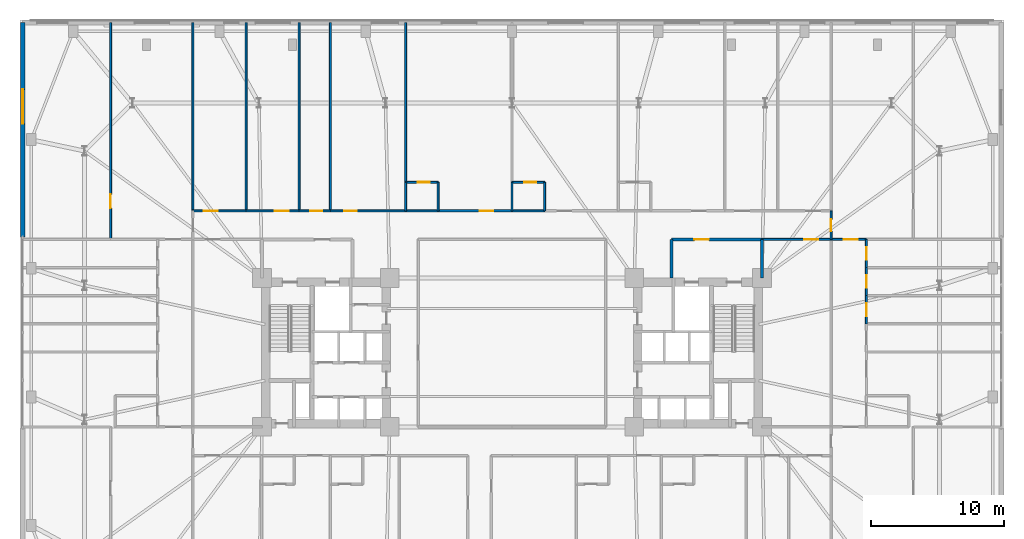
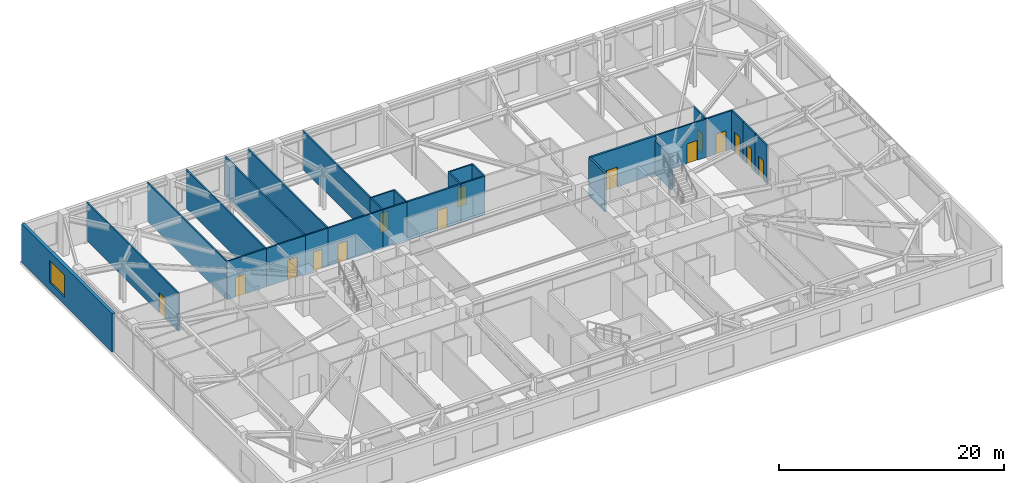
# One storey, part 15 of 21: 29 walls, 15 doors, 1 window, 16 openings.
"""IFC4 building model written with IfcOpenShell, lengths in metres."""

from ifc_helpers import new_model, si_unit, direction, frame, frame_2d, origin, place, context, subcontext, project, spatial, rectangle, extrude, material, layer, layer_set, type_object, element, fill, save


model = new_model("IFC4")

# Units and contexts
model_context = context("Model", 3, precision=1e-05, world=origin(), true_north=direction((0.0, 1.0)))
body_context = subcontext(model_context, "Body", "Model", "MODEL_VIEW")
ifc_project = project(units=[si_unit("LENGTHUNIT", "METRE"), si_unit("AREAUNIT", "SQUARE_METRE"), si_unit("VOLUMEUNIT", "CUBIC_METRE"), si_unit("PLANEANGLEUNIT", "RADIAN"), si_unit("MASSUNIT", "GRAM", prefix="KILO")], contexts=[model_context])

# Site, building, storey
site_placement = place(None, origin())
site = spatial("IfcSite", under=ifc_project, at=site_placement, CompositionType="ELEMENT")
building_placement = place(site_placement, origin())
building = spatial("IfcBuilding", under=site, at=building_placement, Name="Qobustan Lattice House", CompositionType="ELEMENT")
storey_placement = place(building_placement, frame((0.0, 0.0, 18.0)))
storey = spatial("IfcBuildingStorey", under=building, at=storey_placement, Name="L04", CompositionType="ELEMENT", Elevation=18.0)

# Wall, opening, window
ifc_material_1 = material(Name="Precast concrete C40/50", Category="concrete")
ifc_layer_1 = layer(ifc_material_1, 0.320068359375)
ifc_layer_set_1 = layer_set([ifc_layer_1], Name="Precast concrete C40/50")
wall_type_1 = type_object("IfcWallType", Name="WAL-EXT-STONE-320", PredefinedType="SOLIDWALL", material=ifc_layer_set_1)
wall_1_placement = place(storey_placement, frame((-36.800048828125, 8.699951171875, 0.0), z_axis=(0.0, 0.0, 1.0), x_axis=(0.0, 1.0, 0.0)))
wall_1 = element("IfcWall", 1, at=wall_1_placement, inside=storey, type_object=wall_type_1, Name="L04 podium stone wall 1B", PredefinedType="SOLIDWALL", context=body_context, shape_type="SweptSolid", body=[
    extrude(rectangle(XDim=16.10009765625, YDim=0.320068359375, at=frame_2d((8.050048828125, 0.0))), origin(), (0.0, 0.0, 1.0), 4.169921875),
])
opening_1_placement = place(wall_1_placement, frame((8.484619140625, 0.0, 0.85009765625)))
opening_1 = element("IfcOpeningElement", 2, at=opening_1_placement, cuts=wall_1, Name="Opening WN-06", PredefinedType="OPENING", context=body_context, shape_type="SweptSolid", body=[
    extrude(rectangle(XDim=2.60009765625, YDim=2.39990234375, at=frame_2d((1.300048828125, 1.199951171875))), frame((0.0, 0.169921875, 0.0), z_axis=(0.0, -1.0, 0.0), x_axis=(1.0, 0.0, 0.0)), (0.0, 0.0, 1.0), 0.340087890625),
])
ifc_material_2 = material(Name="Double-glazed low-E aluminium window", Category="aluminium")
window_type = type_object("IfcWindowType", Name="WIN-POD-2600x2400", PartitioningType="SINGLE_PANEL", PredefinedType="WINDOW", material=ifc_material_2)
window_placement = place(opening_1_placement, origin())
window = element("IfcWindow", 3, at=window_placement, inside=storey, type_object=window_type, Name="L04 Collaborative study room L04WN window", OverallHeight=2.39990234375, OverallWidth=2.60009765625, PartitioningType="SINGLE_PANEL", PredefinedType="WINDOW", context=body_context, shape_type="SweptSolid", body=[
    extrude(rectangle(XDim=2.60009765625, YDim=2.39990234375, at=frame_2d((1.300048828125, 1.199951171875))), frame((0.0, 0.030029296875, 0.0), z_axis=(0.0, -1.0, 0.0), x_axis=(1.0, 0.0, 0.0)), (0.0, 0.0, 1.0), 0.06005859375),
])
fill(opening_1, window)

# Wall, opening, door
ifc_material_3 = material(Name="Gypsum fireboard acoustic partition", Category="gypsum")
ifc_layer_2 = layer(ifc_material_3, 0.179931640625)
ifc_layer_set_2 = layer_set([ifc_layer_2], Name="Gypsum fireboard acoustic partition")
wall_type_2 = type_object("IfcWallType", Name="WAL-FIRE-180", PredefinedType="PARTITIONING", material=ifc_layer_set_2)
wall_2_placement = place(storey_placement, frame((-5.550048828125, 10.64990234375, 0.0), z_axis=(0.0, 0.0, 1.0), x_axis=(1.0, 0.0, 0.0)))
wall_2 = element("IfcWall", 4, at=wall_2_placement, inside=storey, type_object=wall_type_2, Name="L04 interior partition 43", PredefinedType="PARTITIONING", context=body_context, shape_type="SweptSolid", body=[
    extrude(rectangle(XDim=5.550048828125, YDim=0.179931640625, at=frame_2d((2.77490234375, 0.0))), origin(), (0.0, 0.0, 1.0), 4.169921875),
])
opening_2_placement = place(wall_2_placement, frame((3.12255859375, 0.0, 0.0)))
opening_2 = element("IfcOpeningElement", 5, at=opening_2_placement, cuts=wall_2, Name="Opening FD-02", PredefinedType="OPENING", context=body_context, shape_type="SweptSolid", body=[
    extrude(rectangle(XDim=1.0, YDim=2.14990234375, at=frame_2d((0.5, 1.074951171875))), frame((0.0, 0.099853515625, 0.0), z_axis=(0.0, -1.0, 0.0), x_axis=(1.0, 0.0, 0.0)), (0.0, 0.0, 1.0), 0.199951171875),
])
ifc_material_4 = material(Name="Persian walnut timber and steel frame door", Category="steel")
door_type_1 = type_object("IfcDoorType", Name="DOR-UNIT-FD-1000x2150", OperationType="NOTDEFINED", PredefinedType="DOOR", material=ifc_material_4)
door_1_placement = place(opening_2_placement, origin())
door_1 = element("IfcDoor", 6, at=door_1_placement, inside=storey, type_object=door_type_1, Name="L04 North-west podium corridor to Kitchenette and studio apartment L04-N3 door", OperationType="SINGLE_SWING_LEFT", OverallHeight=2.14990234375, OverallWidth=1.0, PredefinedType="DOOR", context=body_context, shape_type="SweptSolid", body=[
    extrude(rectangle(XDim=1.0, YDim=2.14990234375, at=frame_2d((0.5, 1.074951171875))), frame((0.0, 0.02490234375, 0.0), z_axis=(0.0, -1.0, 0.0), x_axis=(1.0, 0.0, 0.0)), (0.0, 0.0, 1.0), 0.050048828125),
])
fill(opening_2, door_1)

ifc_material_5 = material(Name="Acoustic twin-stud gypsum partition", Category="gypsum")
ifc_layer_3 = layer(ifc_material_5, 0.14990234375)
ifc_layer_set_3 = layer_set([ifc_layer_3], Name="Acoustic twin-stud gypsum partition")
wall_type_3 = type_object("IfcWallType", Name="WAL-PART-150", PredefinedType="PARTITIONING", material=ifc_layer_set_3)
wall_3_placement = place(storey_placement, frame((-24.0, 10.64990234375, 0.0), z_axis=(0.0, 0.0, 1.0), x_axis=(1.0, 0.0, 0.0)))
wall_3 = element("IfcWall", 7, at=wall_3_placement, inside=storey, type_object=wall_type_3, Name="L04 interior partition 39", PredefinedType="PARTITIONING", context=body_context, shape_type="SweptSolid", body=[
    extrude(rectangle(XDim=4.0, YDim=0.14990234375, at=frame_2d((2.0, 0.0))), origin(), (0.0, 0.0, 1.0), 4.169921875),
])
opening_3_placement = place(wall_3_placement, frame((0.8037109375, 0.0, 0.0)))
opening_3 = element("IfcOpeningElement", 8, at=opening_3_placement, cuts=wall_3, Name="Opening ID-02", PredefinedType="OPENING", context=body_context, shape_type="SweptSolid", body=[
    extrude(rectangle(XDim=1.050048828125, YDim=2.14990234375, at=frame_2d((0.52490234375, 1.074951171875))), frame((0.0, 0.0849609375, 0.0), z_axis=(0.0, -1.0, 0.0), x_axis=(1.0, 0.0, 0.0)), (0.0, 0.0, 1.0), 0.169921875),
])
ifc_material_6 = material(Name="Persian walnut timber and steel frame door", Category="steel")
door_type_2 = type_object("IfcDoorType", Name="DOR-STUDY-1050x2150", OperationType="NOTDEFINED", PredefinedType="DOOR", material=ifc_material_6)
door_2_placement = place(opening_3_placement, origin())
door_2 = element("IfcDoor", 9, at=door_2_placement, inside=storey, type_object=door_type_2, Name="L04 North-west podium corridor to Focus study room N1A door", OperationType="SINGLE_SWING_LEFT", OverallHeight=2.14990234375, OverallWidth=1.050048828125, PredefinedType="DOOR", context=body_context, shape_type="SweptSolid", body=[
    extrude(rectangle(XDim=1.050048828125, YDim=2.14990234375, at=frame_2d((0.52490234375, 1.074951171875))), frame((0.0, 0.02490234375, 0.0), z_axis=(0.0, -1.0, 0.0), x_axis=(1.0, 0.0, 0.0)), (0.0, 0.0, 1.0), 0.050048828125),
])
fill(opening_3, door_2)

wall_4_placement = place(storey_placement, frame((-20.0, 10.64990234375, 0.0), z_axis=(0.0, 0.0, 1.0), x_axis=(1.0, 0.0, 0.0)))
wall_4 = element("IfcWall", 10, at=wall_4_placement, inside=storey, type_object=wall_type_3, Name="L04 interior partition 40", PredefinedType="PARTITIONING", context=body_context, shape_type="SweptSolid", body=[
    extrude(rectangle(XDim=4.0, YDim=0.14990234375, at=frame_2d((2.0, 0.0))), origin(), (0.0, 0.0, 1.0), 4.169921875),
])
opening_4_placement = place(wall_4_placement, frame((2.146240234375, 0.0, 0.0)))
opening_4 = element("IfcOpeningElement", 11, at=opening_4_placement, cuts=wall_4, Name="Opening ID-02", PredefinedType="OPENING", context=body_context, shape_type="SweptSolid", body=[
    extrude(rectangle(XDim=1.050048828125, YDim=2.14990234375, at=frame_2d((0.52490234375, 1.074951171875))), frame((0.0, 0.0849609375, 0.0), z_axis=(0.0, -1.0, 0.0), x_axis=(1.0, 0.0, 0.0)), (0.0, 0.0, 1.0), 0.169921875),
])
door_3_placement = place(opening_4_placement, origin())
door_3 = element("IfcDoor", 12, at=door_3_placement, inside=storey, type_object=door_type_2, Name="L04 North-west podium corridor to Focus study room N1B door", OperationType="SINGLE_SWING_RIGHT", OverallHeight=2.14990234375, OverallWidth=1.050048828125, PredefinedType="DOOR", context=body_context, shape_type="SweptSolid", body=[
    extrude(rectangle(XDim=1.050048828125, YDim=2.14990234375, at=frame_2d((0.52490234375, 1.074951171875))), frame((0.0, 0.02490234375, 0.0), z_axis=(0.0, -1.0, 0.0), x_axis=(1.0, 0.0, 0.0)), (0.0, 0.0, 1.0), 0.050048828125),
])
fill(opening_4, door_3)

wall_5_placement = place(storey_placement, frame((-13.64990234375, 10.64990234375, 0.0), z_axis=(0.0, 0.0, 1.0), x_axis=(1.0, 0.0, 0.0)))
wall_5 = element("IfcWall", 13, at=wall_5_placement, inside=storey, type_object=wall_type_3, Name="L04 interior partition 42", PredefinedType="PARTITIONING", context=body_context, shape_type="SweptSolid", body=[
    extrude(rectangle(XDim=5.64990234375, YDim=0.14990234375, at=frame_2d((2.824951171875, 0.0))), origin(), (0.0, 0.0, 1.0), 4.169921875),
])
opening_5_placement = place(wall_5_placement, frame((1.0224609375, 0.0, 0.0)))
opening_5 = element("IfcOpeningElement", 14, at=opening_5_placement, cuts=wall_5, Name="Opening ID-01", PredefinedType="OPENING", context=body_context, shape_type="SweptSolid", body=[
    extrude(rectangle(XDim=0.949951171875, YDim=2.10009765625, at=frame_2d((0.47509765625, 1.050048828125))), frame((0.0, 0.0849609375, 0.0), z_axis=(0.0, -1.0, 0.0), x_axis=(1.0, 0.0, 0.0)), (0.0, 0.0, 1.0), 0.169921875),
])
ifc_material_7 = material(Name="Persian walnut timber and steel frame door", Category="steel")
door_type_3 = type_object("IfcDoorType", Name="DOR-ROOM-950x2100", OperationType="NOTDEFINED", PredefinedType="DOOR", material=ifc_material_7)
door_4_placement = place(opening_5_placement, origin())
door_4 = element("IfcDoor", 15, at=door_4_placement, inside=storey, type_object=door_type_3, Name="L04 North-west podium corridor to Laundry utility room door", OperationType="SINGLE_SWING_RIGHT", OverallHeight=2.10009765625, OverallWidth=0.949951171875, PredefinedType="DOOR", context=body_context, shape_type="SweptSolid", body=[
    extrude(rectangle(XDim=0.949951171875, YDim=2.10009765625, at=frame_2d((0.47509765625, 1.050048828125))), frame((0.0, 0.02490234375, 0.0), z_axis=(0.0, -1.0, 0.0), x_axis=(1.0, 0.0, 0.0)), (0.0, 0.0, 1.0), 0.050048828125),
])
fill(opening_5, door_4)

wall_6_placement = place(storey_placement, frame((24.0, 10.64990234375, 0.0), z_axis=(0.0, 0.0, 1.0), x_axis=(0.0, -1.0, 0.0)))
wall_6 = element("IfcWall", 16, at=wall_6_placement, inside=storey, type_object=wall_type_3, Name="L04 interior partition 46", PredefinedType="PARTITIONING", context=body_context, shape_type="SweptSolid", body=[
    extrude(rectangle(XDim=2.14990234375, YDim=0.14990234375, at=frame_2d((1.074951171875, 0.0))), origin(), (0.0, 0.0, 1.0), 4.169921875),
])
opening_6_placement = place(wall_6_placement, frame((0.625, 0.0, 0.0)))
opening_6 = element("IfcOpeningElement", 17, at=opening_6_placement, cuts=wall_6, Name="Opening WD-01", PredefinedType="OPENING", context=body_context, shape_type="SweptSolid", body=[
    extrude(rectangle(XDim=0.89990234375, YDim=2.10009765625, at=frame_2d((0.449951171875, 1.050048828125))), frame((0.0, 0.0849609375, 0.0), z_axis=(0.0, -1.0, 0.0), x_axis=(1.0, 0.0, 0.0)), (0.0, 0.0, 1.0), 0.169921875),
])
ifc_material_8 = material(Name="Persian walnut timber and steel frame door", Category="steel")
door_type_4 = type_object("IfcDoorType", Name="DOR-WET-900x2100", OperationType="NOTDEFINED", PredefinedType="DOOR", material=ifc_material_8)
door_5_placement = place(opening_6_placement, origin())
door_5 = element("IfcDoor", 18, at=door_5_placement, inside=storey, type_object=door_type_4, Name="L04 North-east podium corridor to Reading seminar room L04EN door", OperationType="SINGLE_SWING_RIGHT", OverallHeight=2.10009765625, OverallWidth=0.89990234375, PredefinedType="DOOR", context=body_context, shape_type="SweptSolid", body=[
    extrude(rectangle(XDim=0.89990234375, YDim=2.10009765625, at=frame_2d((0.449951171875, 1.050048828125))), frame((0.0, 0.02490234375, 0.0), z_axis=(0.0, -1.0, 0.0), x_axis=(1.0, 0.0, 0.0)), (0.0, 0.0, 1.0), 0.050048828125),
])
fill(opening_6, door_5)

wall_7_placement = place(storey_placement, frame((24.0, 8.5, 0.0), z_axis=(0.0, 0.0, 1.0), x_axis=(-1.0, 0.0, 0.0)))
wall_7 = element("IfcWall", 19, at=wall_7_placement, inside=storey, type_object=wall_type_3, Name="L04 interior partition 47", PredefinedType="PARTITIONING", context=body_context, shape_type="SweptSolid", body=[
    extrude(rectangle(XDim=5.199951171875, YDim=0.14990234375, at=frame_2d((2.60009765625, 0.0))), origin(), (0.0, 0.0, 1.0), 4.169921875),
])
opening_7_placement = place(wall_7_placement, frame((0.95361328125, 0.0, 0.0)))
opening_7 = element("IfcOpeningElement", 20, at=opening_7_placement, cuts=wall_7, Name="Opening ID-02", PredefinedType="OPENING", context=body_context, shape_type="SweptSolid", body=[
    extrude(rectangle(XDim=1.050048828125, YDim=2.14990234375, at=frame_2d((0.52490234375, 1.074951171875))), frame((0.0, 0.0849609375, 0.0), z_axis=(0.0, -1.0, 0.0), x_axis=(1.0, 0.0, 0.0)), (0.0, 0.0, 1.0), 0.169921875),
])
door_6_placement = place(opening_7_placement, origin())
door_6 = element("IfcDoor", 21, at=door_6_placement, inside=storey, type_object=door_type_2, Name="L04 North-east podium corridor to East study lounge door", OperationType="SINGLE_SWING_LEFT", OverallHeight=2.14990234375, OverallWidth=1.050048828125, PredefinedType="DOOR", context=body_context, shape_type="SweptSolid", body=[
    extrude(rectangle(XDim=1.050048828125, YDim=2.14990234375, at=frame_2d((0.52490234375, 1.074951171875))), frame((0.0, 0.02490234375, 0.0), z_axis=(0.0, -1.0, 0.0), x_axis=(1.0, 0.0, 0.0)), (0.0, 0.0, 1.0), 0.050048828125),
])
fill(opening_7, door_6)

wall_8_placement = place(storey_placement, frame((-30.18994140625, 8.5, 0.0), z_axis=(0.0, 0.0, 1.0), x_axis=(0.0, 1.0, 0.0)))
wall_8 = element("IfcWall", 22, at=wall_8_placement, inside=storey, type_object=wall_type_3, Name="L04 interior partition 88", PredefinedType="PARTITIONING", context=body_context, shape_type="SweptSolid", body=[
    extrude(rectangle(XDim=16.300048828125, YDim=0.14990234375, at=frame_2d((8.14990234375, 0.0))), origin(), (0.0, 0.0, 1.0), 4.169921875),
])
opening_8_placement = place(wall_8_placement, frame((2.34130859375, 0.0, 0.0)))
opening_8 = element("IfcOpeningElement", 23, at=opening_8_placement, cuts=wall_8, Name="Opening ID-02", PredefinedType="OPENING", context=body_context, shape_type="SweptSolid", body=[
    extrude(rectangle(XDim=1.050048828125, YDim=2.14990234375, at=frame_2d((0.52490234375, 1.074951171875))), frame((0.0, 0.0849609375, 0.0), z_axis=(0.0, -1.0, 0.0), x_axis=(1.0, 0.0, 0.0)), (0.0, 0.0, 1.0), 0.169921875),
])
door_7_placement = place(opening_8_placement, origin())
door_7 = element("IfcDoor", 24, at=door_7_placement, inside=storey, type_object=door_type_2, Name="L04 Reading seminar room L04WN to Collaborative study room L04WN door", OperationType="SINGLE_SWING_RIGHT", OverallHeight=2.14990234375, OverallWidth=1.050048828125, PredefinedType="DOOR", context=body_context, shape_type="SweptSolid", body=[
    extrude(rectangle(XDim=1.050048828125, YDim=2.14990234375, at=frame_2d((0.52490234375, 1.074951171875))), frame((0.0, 0.02490234375, 0.0), z_axis=(0.0, -1.0, 0.0), x_axis=(1.0, 0.0, 0.0)), (0.0, 0.0, 1.0), 0.050048828125),
])
fill(opening_8, door_7)

# Wall
wall_9_placement = place(storey_placement, frame((-24.0, 24.800048828125, 0.0), z_axis=(0.0, 0.0, 1.0), x_axis=(0.0, -1.0, 0.0)))
element("IfcWall", 25, at=wall_9_placement, inside=storey, type_object=wall_type_3, Name="L04 interior partition 90", PredefinedType="PARTITIONING", context=body_context, shape_type="SweptSolid", body=[
    extrude(rectangle(XDim=14.150146484375, YDim=0.14990234375, at=frame_2d((7.0751953125, 0.0))), origin(), (0.0, 0.0, 1.0), 4.169921875),
])

# Wall, opening, door
wall_10_placement = place(storey_placement, frame((24.0, 8.5, 0.0), z_axis=(0.0, 0.0, 1.0), x_axis=(1.0, 0.0, 0.0)))
wall_10 = element("IfcWall", 26, at=wall_10_placement, inside=storey, type_object=wall_type_3, Name="L04 interior partition 102", PredefinedType="PARTITIONING", context=body_context, shape_type="SweptSolid", body=[
    extrude(rectangle(XDim=2.64990234375, YDim=0.14990234375, at=frame_2d((1.324951171875, 0.0))), origin(), (0.0, 0.0, 1.0), 4.169921875),
])
opening_9_placement = place(wall_10_placement, frame((0.965087890625, 0.0, 0.0)))
opening_9 = element("IfcOpeningElement", 27, at=opening_9_placement, cuts=wall_10, Name="Opening ID-02", PredefinedType="OPENING", context=body_context, shape_type="SweptSolid", body=[
    extrude(rectangle(XDim=1.050048828125, YDim=2.14990234375, at=frame_2d((0.52490234375, 1.074951171875))), frame((0.0, 0.0849609375, 0.0), z_axis=(0.0, -1.0, 0.0), x_axis=(1.0, 0.0, 0.0)), (0.0, 0.0, 1.0), 0.169921875),
])
door_8_placement = place(opening_9_placement, origin())
door_8 = element("IfcDoor", 28, at=door_8_placement, inside=storey, type_object=door_type_2, Name="L04 Residence entrance hall L04E to Reading seminar room L04EN door", OperationType="SINGLE_SWING_RIGHT", OverallHeight=2.14990234375, OverallWidth=1.050048828125, PredefinedType="DOOR", context=body_context, shape_type="SweptSolid", body=[
    extrude(rectangle(XDim=1.050048828125, YDim=2.14990234375, at=frame_2d((0.52490234375, 1.074951171875))), frame((0.0, 0.02490234375, 0.0), z_axis=(0.0, -1.0, 0.0), x_axis=(1.0, 0.0, 0.0)), (0.0, 0.0, 1.0), 0.050048828125),
])
fill(opening_9, door_8)

wall_11_placement = place(storey_placement, frame((26.64990234375, 4.27001953125, 0.0), z_axis=(0.0, 0.0, 1.0), x_axis=(0.0, -1.0, 0.0)))
wall_11 = element("IfcWall", 29, at=wall_11_placement, inside=storey, type_object=wall_type_3, Name="L04 interior partition 107", PredefinedType="PARTITIONING", context=body_context, shape_type="SweptSolid", body=[
    extrude(rectangle(XDim=2.114990234375, YDim=0.14990234375, at=frame_2d((1.0576171875, 0.0))), origin(), (0.0, 0.0, 1.0), 4.169921875),
])
opening_10_placement = place(wall_11_placement, frame((0.58251953125, 0.0, 0.0)))
opening_10 = element("IfcOpeningElement", 30, at=opening_10_placement, cuts=wall_11, Name="Opening ID-01", PredefinedType="OPENING", context=body_context, shape_type="SweptSolid", body=[
    extrude(rectangle(XDim=0.949951171875, YDim=2.10009765625, at=frame_2d((0.47509765625, 1.050048828125))), frame((0.0, 0.0849609375, 0.0), z_axis=(0.0, -1.0, 0.0), x_axis=(1.0, 0.0, 0.0)), (0.0, 0.0, 1.0), 0.169921875),
])
door_9_placement = place(opening_10_placement, origin())
door_9 = element("IfcDoor", 31, at=door_9_placement, inside=storey, type_object=door_type_3, Name="L04 Residence entrance hall L04E to Cluster bedroom L04E2 door", OperationType="SINGLE_SWING_LEFT", OverallHeight=2.10009765625, OverallWidth=0.949951171875, PredefinedType="DOOR", context=body_context, shape_type="SweptSolid", body=[
    extrude(rectangle(XDim=0.949951171875, YDim=2.10009765625, at=frame_2d((0.47509765625, 1.050048828125))), frame((0.0, 0.02490234375, 0.0), z_axis=(0.0, -1.0, 0.0), x_axis=(1.0, 0.0, 0.0)), (0.0, 0.0, 1.0), 0.050048828125),
])
fill(opening_10, door_9)

wall_12_placement = place(storey_placement, frame((26.64990234375, 6.385009765625, 0.0), z_axis=(0.0, 0.0, 1.0), x_axis=(0.0, -1.0, 0.0)))
wall_12 = element("IfcWall", 32, at=wall_12_placement, inside=storey, type_object=wall_type_3, Name="L04 interior partition 108", PredefinedType="PARTITIONING", context=body_context, shape_type="SweptSolid", body=[
    extrude(rectangle(XDim=2.114990234375, YDim=0.14990234375, at=frame_2d((1.0576171875, 0.0))), origin(), (0.0, 0.0, 1.0), 4.169921875),
])
opening_11_placement = place(wall_12_placement, frame((0.58251953125, 0.0, 0.0)))
opening_11 = element("IfcOpeningElement", 33, at=opening_11_placement, cuts=wall_12, Name="Opening ID-01", PredefinedType="OPENING", context=body_context, shape_type="SweptSolid", body=[
    extrude(rectangle(XDim=0.949951171875, YDim=2.10009765625, at=frame_2d((0.47509765625, 1.050048828125))), frame((0.0, 0.0849609375, 0.0), z_axis=(0.0, -1.0, 0.0), x_axis=(1.0, 0.0, 0.0)), (0.0, 0.0, 1.0), 0.169921875),
])
door_10_placement = place(opening_11_placement, origin())
door_10 = element("IfcDoor", 34, at=door_10_placement, inside=storey, type_object=door_type_3, Name="L04 Residence entrance hall L04E to Cluster bedroom L04E3 door", OperationType="SINGLE_SWING_RIGHT", OverallHeight=2.10009765625, OverallWidth=0.949951171875, PredefinedType="DOOR", context=body_context, shape_type="SweptSolid", body=[
    extrude(rectangle(XDim=0.949951171875, YDim=2.10009765625, at=frame_2d((0.47509765625, 1.050048828125))), frame((0.0, 0.02490234375, 0.0), z_axis=(0.0, -1.0, 0.0), x_axis=(1.0, 0.0, 0.0)), (0.0, 0.0, 1.0), 0.050048828125),
])
fill(opening_11, door_10)

wall_13_placement = place(storey_placement, frame((26.64990234375, 8.5, 0.0), z_axis=(0.0, 0.0, 1.0), x_axis=(0.0, -1.0, 0.0)))
wall_13 = element("IfcWall", 35, at=wall_13_placement, inside=storey, type_object=wall_type_3, Name="L04 interior partition 109", PredefinedType="PARTITIONING", context=body_context, shape_type="SweptSolid", body=[
    extrude(rectangle(XDim=2.114990234375, YDim=0.14990234375, at=frame_2d((1.0576171875, 0.0))), origin(), (0.0, 0.0, 1.0), 4.169921875),
])
opening_12_placement = place(wall_13_placement, frame((0.58251953125, 0.0, 0.0)))
opening_12 = element("IfcOpeningElement", 36, at=opening_12_placement, cuts=wall_13, Name="Opening ID-01", PredefinedType="OPENING", context=body_context, shape_type="SweptSolid", body=[
    extrude(rectangle(XDim=0.949951171875, YDim=2.10009765625, at=frame_2d((0.47509765625, 1.050048828125))), frame((0.0, 0.0849609375, 0.0), z_axis=(0.0, -1.0, 0.0), x_axis=(1.0, 0.0, 0.0)), (0.0, 0.0, 1.0), 0.169921875),
])
door_11_placement = place(opening_12_placement, origin())
door_11 = element("IfcDoor", 37, at=door_11_placement, inside=storey, type_object=door_type_3, Name="L04 Residence entrance hall L04E to Cluster bedroom L04E4 door", OperationType="SINGLE_SWING_LEFT", OverallHeight=2.10009765625, OverallWidth=0.949951171875, PredefinedType="DOOR", context=body_context, shape_type="SweptSolid", body=[
    extrude(rectangle(XDim=0.949951171875, YDim=2.10009765625, at=frame_2d((0.47509765625, 1.050048828125))), frame((0.0, 0.02490234375, 0.0), z_axis=(0.0, -1.0, 0.0), x_axis=(1.0, 0.0, 0.0)), (0.0, 0.0, 1.0), 0.050048828125),
])
fill(opening_12, door_11)

# Walls
wall_14_placement = place(storey_placement, frame((-20.0, 24.800048828125, 0.0), z_axis=(0.0, 0.0, 1.0), x_axis=(0.0, -1.0, 0.0)))
element("IfcWall", 38, at=wall_14_placement, inside=storey, type_object=wall_type_3, Name="L04 interior partition 125", PredefinedType="PARTITIONING", context=body_context, shape_type="SweptSolid", body=[
    extrude(rectangle(XDim=14.150146484375, YDim=0.14990234375, at=frame_2d((7.0751953125, 0.0))), origin(), (0.0, 0.0, 1.0), 4.169921875),
])
wall_15_placement = place(storey_placement, frame((-8.0, 24.800048828125, 0.0), z_axis=(0.0, 0.0, 1.0), x_axis=(0.0, -1.0, 0.0)))
element("IfcWall", 39, at=wall_15_placement, inside=storey, type_object=wall_type_3, Name="L04 interior partition 128", PredefinedType="PARTITIONING", context=body_context, shape_type="SweptSolid", body=[
    extrude(rectangle(XDim=12.0, YDim=0.14990234375, at=frame_2d((6.0, 0.0))), origin(), (0.0, 0.0, 1.0), 4.169921875),
])

# Wall, opening, door
ifc_material_9 = material(Name="Two-hour gypsum fireboard acoustic partition", Category="gypsum")
ifc_layer_4 = layer(ifc_material_9, 0.199951171875)
ifc_layer_set_4 = layer_set([ifc_layer_4], Name="Two-hour gypsum fireboard acoustic partition")
wall_type_4 = type_object("IfcWallType", Name="WAL-PROT-200", PredefinedType="PARTITIONING", material=ifc_layer_set_4)
wall_16_placement = place(storey_placement, frame((18.800048828125, 8.5, 0.0), z_axis=(0.0, 0.0, 1.0), x_axis=(-1.0, 0.0, 0.0)))
wall_16 = element("IfcWall", 40, at=wall_16_placement, inside=storey, type_object=wall_type_4, Name="L04 interior partition 22", PredefinedType="PARTITIONING", context=body_context, shape_type="SweptSolid", body=[
    extrude(rectangle(XDim=6.800048828125, YDim=0.199951171875, at=frame_2d((3.39990234375, 0.0))), origin(), (0.0, 0.0, 1.0), 4.169921875),
])
opening_13_placement = place(wall_16_placement, frame((3.985107421875, 0.0, 0.0)))
opening_13 = element("IfcOpeningElement", 41, at=opening_13_placement, cuts=wall_16, Name="Opening SD-01", PredefinedType="OPENING", context=body_context, shape_type="SweptSolid", body=[
    extrude(rectangle(XDim=1.10009765625, YDim=2.14990234375, at=frame_2d((0.550048828125, 1.074951171875))), frame((0.0, 0.10986328125, 0.0), z_axis=(0.0, -1.0, 0.0), x_axis=(1.0, 0.0, 0.0)), (0.0, 0.0, 1.0), 0.219970703125),
])
ifc_material_10 = material(Name="Persian walnut timber and steel frame door", Category="steel")
door_type_5 = type_object("IfcDoorType", Name="DOR-STAIR-FD-1100x2150", OperationType="NOTDEFINED", PredefinedType="DOOR", material=ifc_material_10)
door_12_placement = place(opening_13_placement, origin())
door_12 = element("IfcDoor", 42, at=door_12_placement, inside=storey, type_object=door_type_5, Name="L04 East firefighting lift lobby to North-east podium corridor door", OperationType="SINGLE_SWING_RIGHT", OverallHeight=2.14990234375, OverallWidth=1.10009765625, PredefinedType="DOOR", context=body_context, shape_type="SweptSolid", body=[
    extrude(rectangle(XDim=1.10009765625, YDim=2.14990234375, at=frame_2d((0.550048828125, 1.074951171875))), frame((0.0, 0.02490234375, 0.0), z_axis=(0.0, -1.0, 0.0), x_axis=(1.0, 0.0, 0.0)), (0.0, 0.0, 1.0), 0.050048828125),
])
fill(opening_13, door_12)

# Walls
wall_17_placement = place(storey_placement, frame((12.0, 8.5, 0.0), z_axis=(0.0, 0.0, 1.0), x_axis=(0.0, -1.0, 0.0)))
element("IfcWall", 43, at=wall_17_placement, inside=storey, type_object=wall_type_4, Name="L04 interior partition 23", PredefinedType="PARTITIONING", context=body_context, shape_type="SweptSolid", body=[
    extrude(rectangle(XDim=2.89990234375, YDim=0.199951171875, at=frame_2d((1.449951171875, 0.0))), origin(), (0.0, 0.0, 1.0), 4.169921875),
])
wall_18_placement = place(storey_placement, frame((18.800048828125, 5.60009765625, 0.0), z_axis=(0.0, 0.0, 1.0), x_axis=(0.0, 1.0, 0.0)))
element("IfcWall", 44, at=wall_18_placement, inside=storey, type_object=wall_type_4, Name="L04 interior partition 24", PredefinedType="PARTITIONING", context=body_context, shape_type="SweptSolid", body=[
    extrude(rectangle(XDim=2.89990234375, YDim=0.199951171875, at=frame_2d((1.449951171875, 0.0))), origin(), (0.0, 0.0, 1.0), 3.655029296875),
])

# Wall, opening, door
ifc_material_11 = material(Name="Moisture-resistant acoustic plumbing wall", Category="gypsum")
ifc_layer_5 = layer(ifc_material_11, 0.14990234375)
ifc_layer_set_5 = layer_set([ifc_layer_5], Name="Moisture-resistant acoustic plumbing wall")
wall_type_5 = type_object("IfcWallType", Name="WAL-WET-150", PredefinedType="PLUMBINGWALL", material=ifc_layer_set_5)
wall_19_placement = place(storey_placement, frame((-16.0, 10.64990234375, 0.0), z_axis=(0.0, 0.0, 1.0), x_axis=(1.0, 0.0, 0.0)))
wall_19 = element("IfcWall", 45, at=wall_19_placement, inside=storey, type_object=wall_type_5, Name="L04 interior partition 41", PredefinedType="PLUMBINGWALL", context=body_context, shape_type="SweptSolid", body=[
    extrude(rectangle(XDim=2.35009765625, YDim=0.14990234375, at=frame_2d((1.175048828125, 0.0))), origin(), (0.0, 0.0, 1.0), 4.169921875),
])
opening_14_placement = place(wall_19_placement, frame((0.833740234375, 0.0, 0.0)))
opening_14 = element("IfcOpeningElement", 46, at=opening_14_placement, cuts=wall_19, Name="Opening WD-01", PredefinedType="OPENING", context=body_context, shape_type="SweptSolid", body=[
    extrude(rectangle(XDim=0.89990234375, YDim=2.10009765625, at=frame_2d((0.449951171875, 1.050048828125))), frame((0.0, 0.0849609375, 0.0), z_axis=(0.0, -1.0, 0.0), x_axis=(1.0, 0.0, 0.0)), (0.0, 0.0, 1.0), 0.169921875),
])
door_13_placement = place(opening_14_placement, origin())
door_13 = element("IfcDoor", 47, at=door_13_placement, inside=storey, type_object=door_type_4, Name="L04 North-west podium corridor to Accessible WC door", OperationType="SINGLE_SWING_LEFT", OverallHeight=2.10009765625, OverallWidth=0.89990234375, PredefinedType="DOOR", context=body_context, shape_type="SweptSolid", body=[
    extrude(rectangle(XDim=0.89990234375, YDim=2.10009765625, at=frame_2d((0.449951171875, 1.050048828125))), frame((0.0, 0.02490234375, 0.0), z_axis=(0.0, -1.0, 0.0), x_axis=(1.0, 0.0, 0.0)), (0.0, 0.0, 1.0), 0.050048828125),
])
fill(opening_14, door_13)

# Walls
for number, where, z_axis, x_axis, name in (
    (48, (-8.0, 10.64990234375, 0.0), (0.0, 0.0, 1.0), (1.0, 0.0, 0.0), "L04 interior partition 44"),
    (49, (0.0, 10.64990234375, 0.0), (0.0, 0.0, 1.0), (1.0, 0.0, 0.0), "L04 interior partition 49"),
):
    element("IfcWall", number, at=place(storey_placement, frame(where, z_axis=z_axis, x_axis=x_axis)), inside=storey, type_object=wall_type_5, Name=name, PredefinedType="PLUMBINGWALL", context=body_context, shape_type="SweptSolid", body=[
        extrude(rectangle(XDim=2.449951171875, YDim=0.14990234375, at=frame_2d((1.22509765625, 0.0))), origin(), (0.0, 0.0, 1.0), 4.169921875),
    ])
for number, where, z_axis, x_axis, name in (
    (50, (-16.0, 24.800048828125, 0.0), (0.0, 0.0, 1.0), (0.0, -1.0, 0.0), "L04 interior partition 126"),
    (51, (-13.64990234375, 24.800048828125, 0.0), (0.0, 0.0, 1.0), (0.0, -1.0, 0.0), "L04 interior partition 127"),
):
    element("IfcWall", number, at=place(storey_placement, frame(where, z_axis=z_axis, x_axis=x_axis)), inside=storey, type_object=wall_type_5, Name=name, PredefinedType="PLUMBINGWALL", context=body_context, shape_type="SweptSolid", body=[
        extrude(rectangle(XDim=14.150146484375, YDim=0.14990234375, at=frame_2d((7.0751953125, 0.0))), origin(), (0.0, 0.0, 1.0), 4.169921875),
    ])
wall_20_placement = place(storey_placement, frame((-8.0, 12.800048828125, 0.0), z_axis=(0.0, 0.0, 1.0), x_axis=(0.0, -1.0, 0.0)))
element("IfcWall", 52, at=wall_20_placement, inside=storey, type_object=wall_type_5, Name="L04 interior partition 129", PredefinedType="PLUMBINGWALL", context=body_context, shape_type="SweptSolid", body=[
    extrude(rectangle(XDim=2.150146484375, YDim=0.14990234375, at=frame_2d((1.0751953125, 0.0))), origin(), (0.0, 0.0, 1.0), 4.169921875),
])

# Wall, opening, door
wall_21_placement = place(storey_placement, frame((-5.550048828125, 12.800048828125, 0.0), z_axis=(0.0, 0.0, 1.0), x_axis=(-1.0, 0.0, 0.0)))
wall_21 = element("IfcWall", 53, at=wall_21_placement, inside=storey, type_object=wall_type_5, Name="L04 interior partition 130", PredefinedType="PLUMBINGWALL", context=body_context, shape_type="SweptSolid", body=[
    extrude(rectangle(XDim=2.449951171875, YDim=0.14990234375, at=frame_2d((1.22509765625, 0.0))), origin(), (0.0, 0.0, 1.0), 4.169921875),
])
opening_15_placement = place(wall_21_placement, frame((0.62890625, 0.0, 0.0)))
opening_15 = element("IfcOpeningElement", 54, at=opening_15_placement, cuts=wall_21, Name="Opening WD-01", PredefinedType="OPENING", context=body_context, shape_type="SweptSolid", body=[
    extrude(rectangle(XDim=0.89990234375, YDim=2.10009765625, at=frame_2d((0.449951171875, 1.050048828125))), frame((0.0, 0.0849609375, 0.0), z_axis=(0.0, -1.0, 0.0), x_axis=(1.0, 0.0, 0.0)), (0.0, 0.0, 1.0), 0.169921875),
])
door_14_placement = place(opening_15_placement, origin())
door_14 = element("IfcDoor", 55, at=door_14_placement, inside=storey, type_object=door_type_4, Name="L04 Kitchenette and studio apartment L04-N3 to En-suite bathroom L04-N3 door", OperationType="SINGLE_SWING_RIGHT", OverallHeight=2.10009765625, OverallWidth=0.89990234375, PredefinedType="DOOR", context=body_context, shape_type="SweptSolid", body=[
    extrude(rectangle(XDim=0.89990234375, YDim=2.10009765625, at=frame_2d((0.449951171875, 1.050048828125))), frame((0.0, 0.02490234375, 0.0), z_axis=(0.0, -1.0, 0.0), x_axis=(1.0, 0.0, 0.0)), (0.0, 0.0, 1.0), 0.050048828125),
])
fill(opening_15, door_14)

# Walls
for number, where, z_axis, x_axis, name in (
    (56, (-5.550048828125, 10.64990234375, 0.0), (0.0, 0.0, 1.0), (0.0, 1.0, 0.0), "L04 interior partition 131"),
    (57, (0.0, 12.800048828125, 0.0), (0.0, 0.0, 1.0), (0.0, -1.0, 0.0), "L04 interior partition 133"),
):
    element("IfcWall", number, at=place(storey_placement, frame(where, z_axis=z_axis, x_axis=x_axis)), inside=storey, type_object=wall_type_5, Name=name, PredefinedType="PLUMBINGWALL", context=body_context, shape_type="SweptSolid", body=[
        extrude(rectangle(XDim=2.150146484375, YDim=0.14990234375, at=frame_2d((1.0751953125, 0.0))), origin(), (0.0, 0.0, 1.0), 4.169921875),
    ])

# Wall, opening, door
wall_22_placement = place(storey_placement, frame((2.449951171875, 12.800048828125, 0.0), z_axis=(0.0, 0.0, 1.0), x_axis=(-1.0, 0.0, 0.0)))
wall_22 = element("IfcWall", 58, at=wall_22_placement, inside=storey, type_object=wall_type_5, Name="L04 interior partition 134", PredefinedType="PLUMBINGWALL", context=body_context, shape_type="SweptSolid", body=[
    extrude(rectangle(XDim=2.449951171875, YDim=0.14990234375, at=frame_2d((1.22509765625, 0.0))), origin(), (0.0, 0.0, 1.0), 4.169921875),
])
opening_16_placement = place(wall_22_placement, frame((0.62890625, 0.0, 0.0)))
opening_16 = element("IfcOpeningElement", 59, at=opening_16_placement, cuts=wall_22, Name="Opening WD-01", PredefinedType="OPENING", context=body_context, shape_type="SweptSolid", body=[
    extrude(rectangle(XDim=0.89990234375, YDim=2.10009765625, at=frame_2d((0.449951171875, 1.050048828125))), frame((0.0, 0.0849609375, 0.0), z_axis=(0.0, -1.0, 0.0), x_axis=(1.0, 0.0, 0.0)), (0.0, 0.0, 1.0), 0.169921875),
])
door_15_placement = place(opening_16_placement, origin())
door_15 = element("IfcDoor", 60, at=door_15_placement, inside=storey, type_object=door_type_4, Name="L04 Kitchenette and studio apartment L04-N4 to En-suite bathroom L04-N4 door", OperationType="SINGLE_SWING_LEFT", OverallHeight=2.10009765625, OverallWidth=0.89990234375, PredefinedType="DOOR", context=body_context, shape_type="SweptSolid", body=[
    extrude(rectangle(XDim=0.89990234375, YDim=2.10009765625, at=frame_2d((0.449951171875, 1.050048828125))), frame((0.0, 0.02490234375, 0.0), z_axis=(0.0, -1.0, 0.0), x_axis=(1.0, 0.0, 0.0)), (0.0, 0.0, 1.0), 0.050048828125),
])
fill(opening_16, door_15)

# Wall
wall_23_placement = place(storey_placement, frame((2.449951171875, 10.64990234375, 0.0), z_axis=(0.0, 0.0, 1.0), x_axis=(0.0, 1.0, 0.0)))
element("IfcWall", 61, at=wall_23_placement, inside=storey, type_object=wall_type_5, Name="L04 interior partition 135", PredefinedType="PLUMBINGWALL", context=body_context, shape_type="SweptSolid", body=[
    extrude(rectangle(XDim=2.150146484375, YDim=0.14990234375, at=frame_2d((1.0751953125, 0.0))), origin(), (0.0, 0.0, 1.0), 4.169921875),
])

save(model, "model.ifc")
